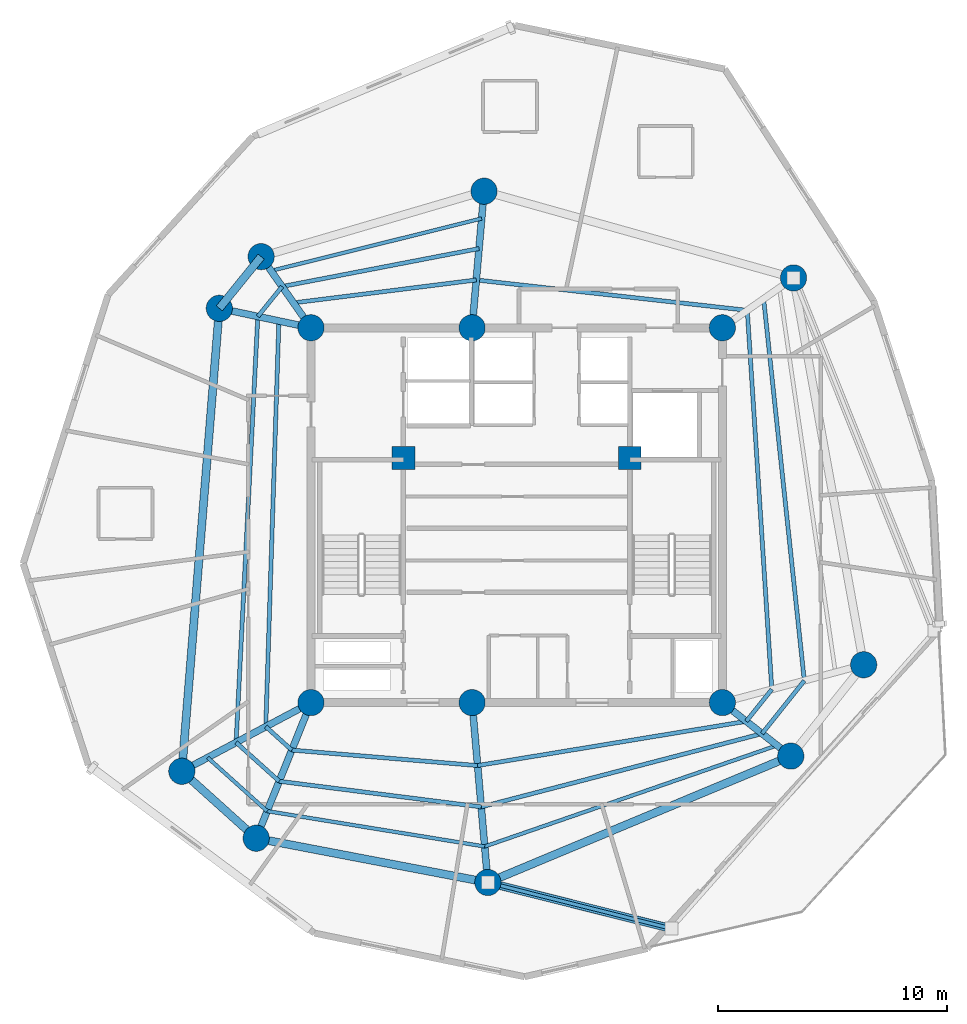
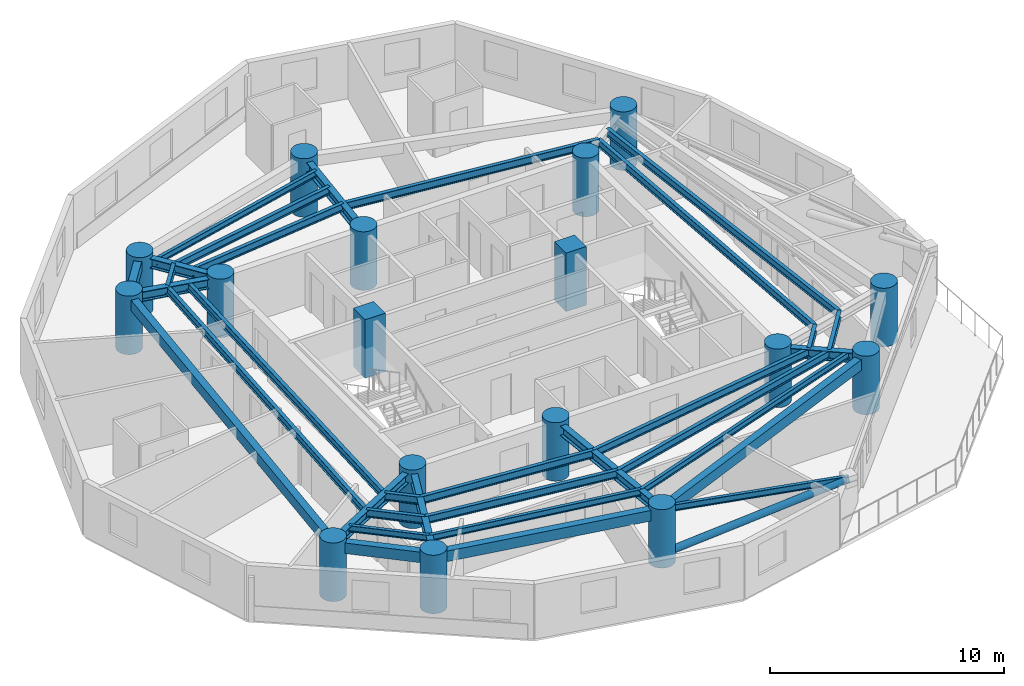
# One storey, part 1 of 9: 33 beams, 17 columns, 1 member.
"""IFC4 building model written with IfcOpenShell, lengths in metres."""

from ifc_helpers import new_model, si_unit, direction, frame, origin, origin_with_axes, origin_2d, place, context, subcontext, project, spatial, rectangle, circle, hollow_circle, i_section, extrude, source, transform, mapped, material, material_profile, profile_set, type_object, element, save


model = new_model("IFC4")

# Units and contexts
model_context = context("Model", 3, precision=1e-05, world=origin(), true_north=direction((0.0, 1.0)))
body_context = subcontext(model_context, "Body", "Model", "MODEL_VIEW")
ifc_project = project(units=[si_unit("LENGTHUNIT", "METRE"), si_unit("AREAUNIT", "SQUARE_METRE"), si_unit("VOLUMEUNIT", "CUBIC_METRE"), si_unit("PLANEANGLEUNIT", "RADIAN"), si_unit("MASSUNIT", "GRAM", prefix="KILO")], contexts=[model_context])

# Site, building, storey
site_placement = place(None, origin())
site = spatial("IfcSite", under=ifc_project, at=site_placement, CompositionType="ELEMENT")
building_placement = place(site_placement, origin())
building = spatial("IfcBuilding", under=site, at=building_placement, Name="Karkom Vertical University and Central Library", CompositionType="ELEMENT")
storey_placement = place(building_placement, frame((0.0, 0.0, 232.14990234375)))
storey = spatial("IfcBuildingStorey", under=building, at=storey_placement, Name="L68", CompositionType="ELEMENT", Elevation=232.14990234375)

# Columns
ifc_material_1 = material(Name="Concrete C50/60", Category="concrete")
ifc_material_profile_1 = material_profile(ifc_material_1, rectangle(XDim=1.0, YDim=1.0, at=origin_2d()), Name="RC-1000x1000")
ifc_profile_set_1 = profile_set([ifc_material_profile_1], Name="Concrete C50/60")
column_type_1 = type_object("IfcColumnType", Name="STR-COL-C-CC2", PredefinedType="COLUMN", material=ifc_profile_set_1)
shared_shape_1 = source(origin_with_axes(), body_context, "Body", "SweptSolid", [
    extrude(rectangle(XDim=1.0, YDim=1.0, at=origin_2d()), origin(), (0.0, 0.0, 1.0), 3.050048828125),
])
for number, where, z_axis, x_axis, name in (
    (1, (23.550048828125, 29.0, 0.0), (0.0, 0.0, 1.0), (1.0, 0.0, 0.0), "Level 68 Core Node Column CC-1"),
    (2, (33.449951171875, 29.0, 0.0), (0.0, 0.0, 1.0), (1.0, 0.0, 0.0), "Level 68 Core Node Column CC-2"),
):
    element("IfcColumn", number, at=place(storey_placement, frame(where, z_axis=z_axis, x_axis=x_axis)), inside=storey, type_object=column_type_1, Name=name, PredefinedType="COLUMN", context=body_context, shape_type="MappedRepresentation", body=[
        mapped(shared_shape_1, transform((0.0, 0.0, 0.0), scale=1.0)),
    ])
ifc_material_2 = material(Name="Concrete C45/55", Category="concrete")
ifc_material_profile_2 = material_profile(ifc_material_2, circle(Radius=0.574951171875, at=origin_2d()), Name="CFT-D1150")
ifc_profile_set_2 = profile_set([ifc_material_profile_2], Name="Concrete C45/55")
column_type_2 = type_object("IfcColumnType", Name="STR-COL-C-SC5", PredefinedType="COLUMN", material=ifc_profile_set_2)
shared_shape_2 = source(origin_with_axes(), body_context, "Body", "SweptSolid", [
    extrude(circle(Radius=0.574951171875, at=origin_2d()), origin(), (0.0, 0.0, 1.0), 3.050048828125),
])
for number, where, z_axis, x_axis, name in (
    (3, (19.5, 18.300048828125, 0.0), (0.0, 0.0, 1.0), (1.0, 0.0, 0.0), "Level 68 Spine Mega-Column SC-1"),
    (4, (26.550048828125, 18.300048828125, 0.0), (0.0, 0.0, 1.0), (1.0, 0.0, 0.0), "Level 68 Spine Mega-Column SC-2"),
    (5, (37.5, 18.300048828125, 0.0), (0.0, 0.0, 1.0), (1.0, 0.0, 0.0), "Level 68 Spine Mega-Column SC-3"),
    (6, (19.5, 34.699951171875, 0.0), (0.0, 0.0, 1.0), (1.0, 0.0, 0.0), "Level 68 Spine Mega-Column SC-4"),
    (7, (26.550048828125, 34.699951171875, 0.0), (0.0, 0.0, 1.0), (1.0, 0.0, 0.0), "Level 68 Spine Mega-Column SC-5"),
    (8, (37.5, 34.699951171875, 0.0), (0.0, 0.0, 1.0), (1.0, 0.0, 0.0), "Level 68 Spine Mega-Column SC-6"),
    (9, (43.681884765625, 19.9560546875, 0.0), (0.0, 0.0, 1.0), (1.0, 0.0, 0.0), "Level 68 Perimeter Mega-Column Z4-PC1"),
    (10, (40.613037109375, 36.8798828125, 0.0), (0.0, 0.0, 1.0), (1.0, 0.0, 0.0), "Level 68 Perimeter Mega-Column Z4-PC2"),
    (11, (27.072998046875, 40.677001953125, 0.0), (0.0, 0.0, 1.0), (1.0, 0.0, 0.0), "Level 68 Perimeter Mega-Column Z4-PC3"),
    (12, (17.320068359375, 37.81298828125, 0.0), (0.0, 0.0, 1.0), (1.0, 0.0, 0.0), "Level 68 Perimeter Mega-Column Z4-PC4"),
    (13, (15.489990234375, 35.552001953125, 0.0), (0.0, 0.0, 1.0), (1.0, 0.0, 0.0), "Level 68 Perimeter Mega-Column Z4-PC5"),
    (14, (13.84912109375, 15.294921875, 0.0), (0.0, 0.0, 1.0), (1.0, 0.0, 0.0), "Level 68 Perimeter Mega-Column Z4-PC6"),
    (15, (17.10302734375, 12.365966796875, 0.0), (0.0, 0.0, 1.0), (1.0, 0.0, 0.0), "Level 68 Perimeter Mega-Column Z4-PC7"),
    (16, (27.239013671875, 10.429931640625, 0.0), (0.0, 0.0, 1.0), (1.0, 0.0, 0.0), "Level 68 Perimeter Mega-Column Z4-PC8"),
    (17, (40.493896484375, 15.9599609375, 0.0), (0.0, 0.0, 1.0), (1.0, 0.0, 0.0), "Level 68 Perimeter Mega-Column Z4-PC9"),
):
    element("IfcColumn", number, at=place(storey_placement, frame(where, z_axis=z_axis, x_axis=x_axis)), inside=storey, type_object=column_type_2, Name=name, PredefinedType="COLUMN", context=body_context, shape_type="MappedRepresentation", body=[
        mapped(shared_shape_2, transform((0.0, 0.0, 0.0), scale=1.0)),
    ])

# Beams
ifc_material_3 = material(Name="Precast concrete C45/55", Category="concrete")
ifc_material_profile_3 = material_profile(ifc_material_3, rectangle(XDim=0.35009765625, YDim=0.550048828125, at=origin_2d()), Name="SPB-350x550")
ifc_profile_set_3 = profile_set([ifc_material_profile_3], Name="Precast concrete C45/55")
beam_type_1 = type_object("IfcBeamType", Name="STR-BM-SP-2", PredefinedType="SPANDREL", material=ifc_profile_set_3)
shared_shape_3 = source(origin_with_axes(), body_context, "Body", "SweptSolid", [
    extrude(rectangle(XDim=0.35009765625, YDim=0.550048828125, at=origin_2d()), origin(), (0.0, 0.0, 1.0), 2.908935546875),
])
beam_1_placement = place(storey_placement, frame((17.320068359375, 37.81298828125, 2.5751953125), z_axis=(-0.629147523747, -0.777285914811, 0.0), x_axis=(0.777285914811, -0.629147523747, 0.0)))
element("IfcBeam", 18, at=beam_1_placement, inside=storey, type_object=beam_type_1, Name="Level 68 Perimeter Spandrel Beam 04", PredefinedType="SPANDREL", context=body_context, shape_type="MappedRepresentation", body=[
    mapped(shared_shape_3, transform((0.0, 0.0, 0.0), scale=1.0)),
])
shared_shape_4 = source(origin_with_axes(), body_context, "Body", "SweptSolid", [
    extrude(rectangle(XDim=0.35009765625, YDim=0.550048828125, at=origin_2d()), origin(), (0.0, 0.0, 1.0), 20.323486328125),
])
beam_2_placement = place(storey_placement, frame((15.489990234375, 35.552001953125, 2.5751953125), z_axis=(-0.080737811681, -0.996735373991, 0.0), x_axis=(0.996735373991, -0.080737811681, 0.0)))
element("IfcBeam", 19, at=beam_2_placement, inside=storey, type_object=beam_type_1, Name="Level 68 Perimeter Spandrel Beam 05", PredefinedType="SPANDREL", context=body_context, shape_type="MappedRepresentation", body=[
    mapped(shared_shape_4, transform((0.0, 0.0, 0.0), scale=1.0)),
])
shared_shape_5 = source(origin_with_axes(), body_context, "Body", "SweptSolid", [
    extrude(rectangle(XDim=0.35009765625, YDim=0.550048828125, at=origin_2d()), origin(), (0.0, 0.0, 1.0), 4.3779296875),
])
beam_3_placement = place(storey_placement, frame((13.84912109375, 15.294921875, 2.5751953125), z_axis=(0.743244232405, -0.669020187287, 0.0), x_axis=(0.669020187287, 0.743244232405, 0.0)))
element("IfcBeam", 20, at=beam_3_placement, inside=storey, type_object=beam_type_1, Name="Level 68 Perimeter Spandrel Beam 06", PredefinedType="SPANDREL", context=body_context, shape_type="MappedRepresentation", body=[
    mapped(shared_shape_5, transform((0.0, 0.0, 0.0), scale=1.0)),
])
shared_shape_6 = source(origin_with_axes(), body_context, "Body", "SweptSolid", [
    extrude(rectangle(XDim=0.35009765625, YDim=0.550048828125, at=origin_2d()), origin(), (0.0, 0.0, 1.0), 10.3193359375),
])
beam_4_placement = place(storey_placement, frame((17.10302734375, 12.365966796875, 2.5751953125), z_axis=(0.982242767385, -0.187614354249, 0.0), x_axis=(0.187614354249, 0.982242767385, 0.0)))
element("IfcBeam", 21, at=beam_4_placement, inside=storey, type_object=beam_type_1, Name="Level 68 Perimeter Spandrel Beam 07", PredefinedType="SPANDREL", context=body_context, shape_type="MappedRepresentation", body=[
    mapped(shared_shape_6, transform((0.0, 0.0, 0.0), scale=1.0)),
])
shared_shape_7 = source(origin_with_axes(), body_context, "Body", "SweptSolid", [
    extrude(rectangle(XDim=0.35009765625, YDim=0.550048828125, at=origin_2d()), origin(), (0.0, 0.0, 1.0), 14.3623046875),
])
beam_5_placement = place(storey_placement, frame((27.239013671875, 10.429931640625, 2.5751953125), z_axis=(0.922899796194, 0.385040213725, 0.0), x_axis=(-0.385040213725, 0.922899796194, 0.0)))
element("IfcBeam", 22, at=beam_5_placement, inside=storey, type_object=beam_type_1, Name="Level 68 Perimeter Spandrel Beam 08", PredefinedType="SPANDREL", context=body_context, shape_type="MappedRepresentation", body=[
    mapped(shared_shape_7, transform((0.0, 0.0, 0.0), scale=1.0)),
])
ifc_material_4 = material(Name="Steel S355", Category="steel")
ifc_material_profile_4 = material_profile(ifc_material_4, i_section(OverallWidth=0.179931640625, OverallDepth=0.39990234375, WebThickness=0.008544921875, FlangeThickness=0.013427734375, FilletRadius=0.02099609375, at=origin_2d()), Name="IPE 400")
ifc_profile_set_4 = profile_set([ifc_material_profile_4], Name="Steel S355")
beam_type_2 = type_object("IfcBeamType", Name="STR-BM-SB-IPE400", PredefinedType="BEAM", material=ifc_profile_set_4)
shared_shape_8 = source(origin_with_axes(), body_context, "Body", "SweptSolid", [
    extrude(i_section(OverallWidth=0.179931640625, OverallDepth=0.39990234375, WebThickness=0.008544921875, FlangeThickness=0.013427734375, FilletRadius=0.02099609375, at=origin_2d()), origin(), (0.0, 0.0, 1.0), 16.617919921875),
])
beam_6_placement = place(storey_placement, frame((39.663818359375, 18.879638671875, 2.650146484375), z_axis=(-0.064641848008, 0.997908528617, 0.0), x_axis=(-0.997908528617, -0.064641848008, 0.0)))
element("IfcBeam", 23, at=beam_6_placement, inside=storey, type_object=beam_type_2, Name="Level 68 Secondary Composite Floor Beam 1.01", PredefinedType="BEAM", context=body_context, shape_type="MappedRepresentation", body=[
    mapped(shared_shape_8, transform((0.0, 0.0, 0.0), scale=1.0)),
])
shared_shape_9 = source(origin_with_axes(), body_context, "Body", "SweptSolid", [
    extrude(i_section(OverallWidth=0.179931640625, OverallDepth=0.39990234375, WebThickness=0.008544921875, FlangeThickness=0.013427734375, FilletRadius=0.02099609375, at=origin_2d()), origin(), (0.0, 0.0, 1.0), 11.9306640625),
])
beam_7_placement = place(storey_placement, frame((38.589599609375, 35.462890625, 2.650146484375), z_axis=(-0.993775454886, 0.11140172919, 0.0), x_axis=(-0.11140172919, -0.993775454886, 0.0)))
element("IfcBeam", 24, at=beam_7_placement, inside=storey, type_object=beam_type_2, Name="Level 68 Secondary Composite Floor Beam 1.02", PredefinedType="BEAM", context=body_context, shape_type="MappedRepresentation", body=[
    mapped(shared_shape_9, transform((0.0, 0.0, 0.0), scale=1.0)),
])
shared_shape_10 = source(origin_with_axes(), body_context, "Body", "SweptSolid", [
    extrude(i_section(OverallWidth=0.179931640625, OverallDepth=0.39990234375, WebThickness=0.008544921875, FlangeThickness=0.013427734375, FilletRadius=0.02099609375, at=origin_2d()), origin(), (0.0, 0.0, 1.0), 8.05859375),
])
beam_8_placement = place(storey_placement, frame((26.733154296875, 36.7919921875, 2.650146484375), z_axis=(-0.99223306826, -0.124392677646, 0.0), x_axis=(0.124392677646, -0.99223306826, 0.0)))
element("IfcBeam", 25, at=beam_8_placement, inside=storey, type_object=beam_type_2, Name="Level 68 Secondary Composite Floor Beam 1.03", PredefinedType="BEAM", context=body_context, shape_type="MappedRepresentation", body=[
    mapped(shared_shape_10, transform((0.0, 0.0, 0.0), scale=1.0)),
])
shared_shape_11 = source(origin_with_axes(), body_context, "Body", "SweptSolid", [
    extrude(i_section(OverallWidth=0.179931640625, OverallDepth=0.39990234375, WebThickness=0.008544921875, FlangeThickness=0.013427734375, FilletRadius=0.02099609375, at=origin_2d()), origin(), (0.0, 0.0, 1.0), 17.75927734375),
])
beam_9_placement = place(storey_placement, frame((18.096435546875, 34.998291015625, 2.650146484375), z_axis=(-0.032333437334, -0.999477137723, 0.0), x_axis=(0.999477137723, -0.032333437334, 0.0)))
element("IfcBeam", 26, at=beam_9_placement, inside=storey, type_object=beam_type_2, Name="Level 68 Secondary Composite Floor Beam 1.05", PredefinedType="BEAM", context=body_context, shape_type="MappedRepresentation", body=[
    mapped(shared_shape_11, transform((0.0, 0.0, 0.0), scale=1.0)),
])
shared_shape_12 = source(origin_with_axes(), body_context, "Body", "SweptSolid", [
    extrude(i_section(OverallWidth=0.179931640625, OverallDepth=0.39990234375, WebThickness=0.008544921875, FlangeThickness=0.013427734375, FilletRadius=0.02099609375, at=origin_2d()), origin(), (0.0, 0.0, 1.0), 1.5322265625),
])
beam_10_placement = place(storey_placement, frame((17.522216796875, 17.248291015625, 2.650146484375), z_axis=(0.743183211059, -0.669087972392, 0.0), x_axis=(0.669087972392, 0.743183211059, 0.0)))
element("IfcBeam", 27, at=beam_10_placement, inside=storey, type_object=beam_type_2, Name="Level 68 Secondary Composite Floor Beam 1.06", PredefinedType="BEAM", context=body_context, shape_type="MappedRepresentation", body=[
    mapped(shared_shape_12, transform((0.0, 0.0, 0.0), scale=1.0)),
])
shared_shape_13 = source(origin_with_axes(), body_context, "Body", "SweptSolid", [
    extrude(i_section(OverallWidth=0.179931640625, OverallDepth=0.39990234375, WebThickness=0.008544921875, FlangeThickness=0.013427734375, FilletRadius=0.02099609375, at=origin_2d()), origin(), (0.0, 0.0, 1.0), 8.15869140625),
])
beam_11_placement = place(storey_placement, frame((18.660888671875, 16.22314453125, 2.650146484375), z_axis=(0.996543694183, -0.083070244882, 0.0), x_axis=(0.083070244882, 0.996543694183, 0.0)))
element("IfcBeam", 28, at=beam_11_placement, inside=storey, type_object=beam_type_2, Name="Level 68 Secondary Composite Floor Beam 1.07", PredefinedType="BEAM", context=body_context, shape_type="MappedRepresentation", body=[
    mapped(shared_shape_13, transform((0.0, 0.0, 0.0), scale=1.0)),
])
shared_shape_14 = source(origin_with_axes(), body_context, "Body", "SweptSolid", [
    extrude(i_section(OverallWidth=0.179931640625, OverallDepth=0.39990234375, WebThickness=0.008544921875, FlangeThickness=0.013427734375, FilletRadius=0.02099609375, at=origin_2d()), origin(), (0.0, 0.0, 1.0), 11.914794921875),
])
beam_12_placement = place(storey_placement, frame((26.791259765625, 15.54541015625, 2.650146484375), z_axis=(0.986717073469, 0.162448197663, 0.0), x_axis=(-0.162448197663, 0.986717073469, 0.0)))
element("IfcBeam", 29, at=beam_12_placement, inside=storey, type_object=beam_type_2, Name="Level 68 Secondary Composite Floor Beam 1.08", PredefinedType="BEAM", context=body_context, shape_type="MappedRepresentation", body=[
    mapped(shared_shape_14, transform((0.0, 0.0, 0.0), scale=1.0)),
])
shared_shape_15 = source(origin_with_axes(), body_context, "Body", "SweptSolid", [
    extrude(i_section(OverallWidth=0.179931640625, OverallDepth=0.39990234375, WebThickness=0.008544921875, FlangeThickness=0.013427734375, FilletRadius=0.02099609375, at=origin_2d()), origin(), (0.0, 0.0, 1.0), 1.789306640625),
])
beam_13_placement = place(storey_placement, frame((38.5478515625, 17.48095703125, 2.650146484375), z_axis=(0.623679519349, 0.781680150154, 0.0), x_axis=(-0.781680150154, 0.623679519349, 0.0)))
element("IfcBeam", 30, at=beam_13_placement, inside=storey, type_object=beam_type_2, Name="Level 68 Secondary Composite Floor Beam 1.09", PredefinedType="BEAM", context=body_context, shape_type="MappedRepresentation", body=[
    mapped(shared_shape_15, transform((0.0, 0.0, 0.0), scale=1.0)),
])
shared_shape_16 = source(origin_with_axes(), body_context, "Body", "SweptSolid", [
    extrude(i_section(OverallWidth=0.179931640625, OverallDepth=0.39990234375, WebThickness=0.008544921875, FlangeThickness=0.013427734375, FilletRadius=0.02099609375, at=origin_2d()), origin(), (0.0, 0.0, 1.0), 16.79833984375),
])
beam_14_placement = place(storey_placement, frame((41.085693359375, 19.260498046875, 2.650146484375), z_axis=(-0.105978377704, 0.994368434464, 0.0), x_axis=(-0.994368434464, -0.105978377704, 0.0)))
element("IfcBeam", 31, at=beam_14_placement, inside=storey, type_object=beam_type_2, Name="Level 68 Secondary Composite Floor Beam 2.01", PredefinedType="BEAM", context=body_context, shape_type="MappedRepresentation", body=[
    mapped(shared_shape_16, transform((0.0, 0.0, 0.0), scale=1.0)),
])
shared_shape_17 = source(origin_with_axes(), body_context, "Body", "SweptSolid", [
    extrude(i_section(OverallWidth=0.179931640625, OverallDepth=0.39990234375, WebThickness=0.008544921875, FlangeThickness=0.013427734375, FilletRadius=0.02099609375, at=origin_2d()), origin(), (0.0, 0.0, 1.0), 8.7763671875),
])
beam_15_placement = place(storey_placement, frame((26.853271484375, 38.166748046875, 2.650146484375), z_axis=(-0.981924209256, -0.189274528862, 0.0), x_axis=(0.189274528862, -0.981924209256, 0.0)))
element("IfcBeam", 32, at=beam_15_placement, inside=storey, type_object=beam_type_2, Name="Level 68 Secondary Composite Floor Beam 2.03", PredefinedType="BEAM", context=body_context, shape_type="MappedRepresentation", body=[
    mapped(shared_shape_17, transform((0.0, 0.0, 0.0), scale=1.0)),
])
shared_shape_18 = source(origin_with_axes(), body_context, "Body", "SweptSolid", [
    extrude(i_section(OverallWidth=0.179931640625, OverallDepth=0.39990234375, WebThickness=0.008544921875, FlangeThickness=0.013427734375, FilletRadius=0.02099609375, at=origin_2d()), origin(), (0.0, 0.0, 1.0), 1.68701171875),
])
beam_16_placement = place(storey_placement, frame((18.235595703125, 36.505615234375, 2.650146484375), z_axis=(-0.629044191861, -0.777369541908, 0.0), x_axis=(0.777369541908, -0.629044191861, 0.0)))
element("IfcBeam", 33, at=beam_16_placement, inside=storey, type_object=beam_type_2, Name="Level 68 Secondary Composite Floor Beam 2.04", PredefinedType="BEAM", context=body_context, shape_type="MappedRepresentation", body=[
    mapped(shared_shape_18, transform((0.0, 0.0, 0.0), scale=1.0)),
])
shared_shape_19 = source(origin_with_axes(), body_context, "Body", "SweptSolid", [
    extrude(i_section(OverallWidth=0.179931640625, OverallDepth=0.39990234375, WebThickness=0.008544921875, FlangeThickness=0.013427734375, FilletRadius=0.02099609375, at=origin_2d()), origin(), (0.0, 0.0, 1.0), 18.661376953125),
])
beam_17_placement = place(storey_placement, frame((17.17431640625, 35.194091796875, 2.650146484375), z_axis=(-0.051009656211, -0.998698160093, 0.0), x_axis=(0.998698160093, -0.051009656211, 0.0)))
element("IfcBeam", 34, at=beam_17_placement, inside=storey, type_object=beam_type_2, Name="Level 68 Secondary Composite Floor Beam 2.05", PredefinedType="BEAM", context=body_context, shape_type="MappedRepresentation", body=[
    mapped(shared_shape_19, transform((0.0, 0.0, 0.0), scale=1.0)),
])
shared_shape_20 = source(origin_with_axes(), body_context, "Body", "SweptSolid", [
    extrude(i_section(OverallWidth=0.179931640625, OverallDepth=0.39990234375, WebThickness=0.008544921875, FlangeThickness=0.013427734375, FilletRadius=0.02099609375, at=origin_2d()), origin(), (0.0, 0.0, 1.0), 2.5390625),
])
beam_18_placement = place(storey_placement, frame((16.222412109375, 16.55712890625, 2.650146484375), z_axis=(0.743246334517, -0.669017851949, 0.0), x_axis=(0.669017851949, 0.743246334517, 0.0)))
element("IfcBeam", 35, at=beam_18_placement, inside=storey, type_object=beam_type_2, Name="Level 68 Secondary Composite Floor Beam 2.06", PredefinedType="BEAM", context=body_context, shape_type="MappedRepresentation", body=[
    mapped(shared_shape_20, transform((0.0, 0.0, 0.0), scale=1.0)),
])
shared_shape_21 = source(origin_with_axes(), body_context, "Body", "SweptSolid", [
    extrude(i_section(OverallWidth=0.179931640625, OverallDepth=0.39990234375, WebThickness=0.008544921875, FlangeThickness=0.013427734375, FilletRadius=0.02099609375, at=origin_2d()), origin(), (0.0, 0.0, 1.0), 8.9111328125),
])
beam_19_placement = place(storey_placement, frame((18.109619140625, 14.8583984375, 2.650146484375), z_axis=(0.992026771403, -0.126027317751, 0.0), x_axis=(0.126027317751, 0.992026771403, 0.0)))
element("IfcBeam", 36, at=beam_19_placement, inside=storey, type_object=beam_type_2, Name="Level 68 Secondary Composite Floor Beam 2.07", PredefinedType="BEAM", context=body_context, shape_type="MappedRepresentation", body=[
    mapped(shared_shape_21, transform((0.0, 0.0, 0.0), scale=1.0)),
])
shared_shape_22 = source(origin_with_axes(), body_context, "Body", "SweptSolid", [
    extrude(i_section(OverallWidth=0.179931640625, OverallDepth=0.39990234375, WebThickness=0.008544921875, FlangeThickness=0.013427734375, FilletRadius=0.02099609375, at=origin_2d()), origin(), (0.0, 0.0, 1.0), 12.69873046875),
])
beam_20_placement = place(storey_placement, frame((26.94970703125, 13.7353515625, 2.650146484375), z_axis=(0.967573974729, 0.252587813301, 0.0), x_axis=(-0.252587813301, 0.967573974729, 0.0)))
element("IfcBeam", 37, at=beam_20_placement, inside=storey, type_object=beam_type_2, Name="Level 68 Secondary Composite Floor Beam 2.08", PredefinedType="BEAM", context=body_context, shape_type="MappedRepresentation", body=[
    mapped(shared_shape_22, transform((0.0, 0.0, 0.0), scale=1.0)),
])
shared_shape_23 = source(origin_with_axes(), body_context, "Body", "SweptSolid", [
    extrude(i_section(OverallWidth=0.179931640625, OverallDepth=0.39990234375, WebThickness=0.008544921875, FlangeThickness=0.013427734375, FilletRadius=0.02099609375, at=origin_2d()), origin(), (0.0, 0.0, 1.0), 2.96484375),
])
beam_21_placement = place(storey_placement, frame((39.236572265625, 16.94287109375, 2.650146484375), z_axis=(0.623670236397, 0.781687556657, 0.0), x_axis=(-0.781687556657, 0.623670236397, 0.0)))
element("IfcBeam", 38, at=beam_21_placement, inside=storey, type_object=beam_type_2, Name="Level 68 Secondary Composite Floor Beam 2.09", PredefinedType="BEAM", context=body_context, shape_type="MappedRepresentation", body=[
    mapped(shared_shape_23, transform((0.0, 0.0, 0.0), scale=1.0)),
])
ifc_material_profile_5 = material_profile(ifc_material_4, i_section(OverallWidth=0.159912109375, OverallDepth=0.330078125, WebThickness=0.007568359375, FlangeThickness=0.011474609375, FilletRadius=0.01806640625, at=origin_2d()), Name="IPE 330")
ifc_profile_set_5 = profile_set([ifc_material_profile_5], Name="Steel S355")
beam_type_3 = type_object("IfcBeamType", Name="STR-BM-SB-IPE330", PredefinedType="BEAM", material=ifc_profile_set_5)
shared_shape_24 = source(origin_with_axes(), body_context, "Body", "SweptSolid", [
    extrude(i_section(OverallWidth=0.159912109375, OverallDepth=0.330078125, WebThickness=0.007568359375, FlangeThickness=0.011474609375, FilletRadius=0.01806640625, at=origin_2d()), origin(), (0.0, 0.0, 1.0), 9.4931640625),
])
beam_22_placement = place(storey_placement, frame((26.968505859375, 39.481689453125, 2.68505859375), z_axis=(-0.970435275293, -0.241361505767, 0.0), x_axis=(0.241361505767, -0.970435275293, 0.0)))
element("IfcBeam", 39, at=beam_22_placement, inside=storey, type_object=beam_type_3, Name="Level 68 Secondary Composite Floor Beam 3.03", PredefinedType="BEAM", context=body_context, shape_type="MappedRepresentation", body=[
    mapped(shared_shape_24, transform((0.0, 0.0, 0.0), scale=1.0)),
])
shared_shape_25 = source(origin_with_axes(), body_context, "Body", "SweptSolid", [
    extrude(i_section(OverallWidth=0.159912109375, OverallDepth=0.330078125, WebThickness=0.007568359375, FlangeThickness=0.011474609375, FilletRadius=0.01806640625, at=origin_2d()), origin(), (0.0, 0.0, 1.0), 3.50244140625),
])
beam_23_placement = place(storey_placement, frame((14.979248046875, 15.89599609375, 2.68505859375), z_axis=(0.743249087562, -0.669014793437, 0.0), x_axis=(0.669014793437, 0.743249087562, 0.0)))
element("IfcBeam", 40, at=beam_23_placement, inside=storey, type_object=beam_type_3, Name="Level 68 Secondary Composite Floor Beam 3.06", PredefinedType="BEAM", context=body_context, shape_type="MappedRepresentation", body=[
    mapped(shared_shape_25, transform((0.0, 0.0, 0.0), scale=1.0)),
])
shared_shape_26 = source(origin_with_axes(), body_context, "Body", "SweptSolid", [
    extrude(i_section(OverallWidth=0.159912109375, OverallDepth=0.330078125, WebThickness=0.007568359375, FlangeThickness=0.011474609375, FilletRadius=0.01806640625, at=origin_2d()), origin(), (0.0, 0.0, 1.0), 9.64404296875),
])
beam_24_placement = place(storey_placement, frame((17.58251953125, 13.552734375, 2.68505859375), z_axis=(0.987019497924, -0.160600469231, 0.0), x_axis=(0.160600469231, 0.987019497924, 0.0)))
element("IfcBeam", 41, at=beam_24_placement, inside=storey, type_object=beam_type_3, Name="Level 68 Secondary Composite Floor Beam 3.07", PredefinedType="BEAM", context=body_context, shape_type="MappedRepresentation", body=[
    mapped(shared_shape_26, transform((0.0, 0.0, 0.0), scale=1.0)),
])
shared_shape_27 = source(origin_with_axes(), body_context, "Body", "SweptSolid", [
    extrude(i_section(OverallWidth=0.159912109375, OverallDepth=0.330078125, WebThickness=0.007568359375, FlangeThickness=0.011474609375, FilletRadius=0.01806640625, at=origin_2d()), origin(), (0.0, 0.0, 1.0), 13.537353515625),
])
beam_25_placement = place(storey_placement, frame((27.101318359375, 12.00390625, 2.68505859375), z_axis=(0.945091088216, 0.32680703018, 0.0), x_axis=(-0.32680703018, 0.945091088216, 0.0)))
element("IfcBeam", 42, at=beam_25_placement, inside=storey, type_object=beam_type_3, Name="Level 68 Secondary Composite Floor Beam 3.08", PredefinedType="BEAM", context=body_context, shape_type="MappedRepresentation", body=[
    mapped(shared_shape_27, transform((0.0, 0.0, 0.0), scale=1.0)),
])
ifc_material_profile_6 = material_profile(ifc_material_4, i_section(OverallWidth=0.300048828125, OverallDepth=0.5, WebThickness=0.014404296875, FlangeThickness=0.028076171875, FilletRadius=0.027099609375, at=origin_2d()), Name="HE 500 B")
ifc_profile_set_6 = profile_set([ifc_material_profile_6], Name="Steel S355")
beam_type_4 = type_object("IfcBeamType", Name="STR-BM-SB-HE500", PredefinedType="USERDEFINED", material=ifc_profile_set_6)
shared_shape_28 = source(origin_with_axes(), body_context, "Body", "SweptSolid", [
    extrude(i_section(OverallWidth=0.300048828125, OverallDepth=0.5, WebThickness=0.014404296875, FlangeThickness=0.028076171875, FilletRadius=0.027099609375, at=origin_2d()), origin(), (0.0, 0.0, 1.0), 6.39990234375),
])
beam_26_placement = place(storey_placement, frame((19.5, 18.300048828125, 2.60009765625), z_axis=(-0.374532429749, -0.927213815183, 0.0), x_axis=(0.927213815183, -0.374532429749, 0.0)))
element("IfcBeam", 43, at=beam_26_placement, inside=storey, type_object=beam_type_4, Name="Level 68 Radial Frame Girder 07", ObjectType="GIRDER", PredefinedType="USERDEFINED", context=body_context, shape_type="MappedRepresentation", body=[
    mapped(shared_shape_28, transform((0.0, 0.0, 0.0), scale=1.0)),
])
shared_shape_29 = source(origin_with_axes(), body_context, "Body", "SweptSolid", [
    extrude(i_section(OverallWidth=0.300048828125, OverallDepth=0.5, WebThickness=0.014404296875, FlangeThickness=0.028076171875, FilletRadius=0.027099609375, at=origin_2d()), origin(), (0.0, 0.0, 1.0), 3.80029296875),
])
beam_27_placement = place(storey_placement, frame((19.5, 34.699951171875, 2.60009765625), z_axis=(-0.573604613627, 0.819132313625, 0.0), x_axis=(-0.819132313625, -0.573604613627, 0.0)))
element("IfcBeam", 44, at=beam_27_placement, inside=storey, type_object=beam_type_4, Name="Level 68 Radial Frame Girder 04", ObjectType="GIRDER", PredefinedType="USERDEFINED", context=body_context, shape_type="MappedRepresentation", body=[
    mapped(shared_shape_29, transform((0.0, 0.0, 0.0), scale=1.0)),
])
shared_shape_30 = source(origin_with_axes(), body_context, "Body", "SweptSolid", [
    extrude(i_section(OverallWidth=0.300048828125, OverallDepth=0.5, WebThickness=0.014404296875, FlangeThickness=0.028076171875, FilletRadius=0.027099609375, at=origin_2d()), origin(), (0.0, 0.0, 1.0), 6.0),
])
beam_28_placement = place(storey_placement, frame((26.550048828125, 34.699951171875, 2.60009765625), z_axis=(0.087159883478, 0.996194335816, 0.0), x_axis=(-0.996194335816, 0.087159883478, 0.0)))
element("IfcBeam", 45, at=beam_28_placement, inside=storey, type_object=beam_type_4, Name="Level 68 Radial Frame Girder 03", ObjectType="GIRDER", PredefinedType="USERDEFINED", context=body_context, shape_type="MappedRepresentation", body=[
    mapped(shared_shape_30, transform((0.0, 0.0, 0.0), scale=1.0)),
])
shared_shape_31 = source(origin_with_axes(), body_context, "Body", "SweptSolid", [
    extrude(i_section(OverallWidth=0.300048828125, OverallDepth=0.5, WebThickness=0.014404296875, FlangeThickness=0.028076171875, FilletRadius=0.027099609375, at=origin_2d()), origin(), (0.0, 0.0, 1.0), 4.099609375),
])
beam_29_placement = place(storey_placement, frame((19.5, 34.699951171875, 2.60009765625), z_axis=(-0.978162634602, 0.207840949453, 0.0), x_axis=(-0.207840949453, -0.978162634602, 0.0)))
element("IfcBeam", 46, at=beam_29_placement, inside=storey, type_object=beam_type_4, Name="Level 68 Radial Frame Girder 05", ObjectType="GIRDER", PredefinedType="USERDEFINED", context=body_context, shape_type="MappedRepresentation", body=[
    mapped(shared_shape_31, transform((0.0, 0.0, 0.0), scale=1.0)),
])
shared_shape_32 = source(origin_with_axes(), body_context, "Body", "SweptSolid", [
    extrude(i_section(OverallWidth=0.300048828125, OverallDepth=0.5, WebThickness=0.014404296875, FlangeThickness=0.028076171875, FilletRadius=0.027099609375, at=origin_2d()), origin(), (0.0, 0.0, 1.0), 6.400146484375),
])
beam_30_placement = place(storey_placement, frame((19.5, 18.300048828125, 2.60009765625), z_axis=(-0.882915120857, -0.469532628645, 0.0), x_axis=(0.469532628645, -0.882915120857, 0.0)))
element("IfcBeam", 47, at=beam_30_placement, inside=storey, type_object=beam_type_4, Name="Level 68 Radial Frame Girder 06", ObjectType="GIRDER", PredefinedType="USERDEFINED", context=body_context, shape_type="MappedRepresentation", body=[
    mapped(shared_shape_32, transform((0.0, 0.0, 0.0), scale=1.0)),
])
shared_shape_33 = source(origin_with_axes(), body_context, "Body", "SweptSolid", [
    extrude(i_section(OverallWidth=0.300048828125, OverallDepth=0.5, WebThickness=0.014404296875, FlangeThickness=0.028076171875, FilletRadius=0.027099609375, at=origin_2d()), origin(), (0.0, 0.0, 1.0), 7.900146484375),
])
beam_31_placement = place(storey_placement, frame((26.550048828125, 18.300048828125, 2.60009765625), z_axis=(0.087208352312, -0.996190093951, 0.0), x_axis=(0.996190093951, 0.087208352312, 0.0)))
element("IfcBeam", 48, at=beam_31_placement, inside=storey, type_object=beam_type_4, Name="Level 68 Radial Frame Girder 08", ObjectType="GIRDER", PredefinedType="USERDEFINED", context=body_context, shape_type="MappedRepresentation", body=[
    mapped(shared_shape_33, transform((0.0, 0.0, 0.0), scale=1.0)),
])
shared_shape_34 = source(origin_with_axes(), body_context, "Body", "SweptSolid", [
    extrude(i_section(OverallWidth=0.300048828125, OverallDepth=0.5, WebThickness=0.014404296875, FlangeThickness=0.028076171875, FilletRadius=0.027099609375, at=origin_2d()), origin(), (0.0, 0.0, 1.0), 3.7998046875),
])
beam_32_placement = place(storey_placement, frame((37.5, 18.300048828125, 2.60009765625), z_axis=(0.787883114707, -0.61582481077, 0.0), x_axis=(0.61582481077, 0.787883114707, 0.0)))
element("IfcBeam", 49, at=beam_32_placement, inside=storey, type_object=beam_type_4, Name="Level 68 Radial Frame Girder 09", ObjectType="GIRDER", PredefinedType="USERDEFINED", context=body_context, shape_type="MappedRepresentation", body=[
    mapped(shared_shape_34, transform((0.0, 0.0, 0.0), scale=1.0)),
])
shared_shape_35 = source(origin_with_axes(), body_context, "Body", "SweptSolid", [
    extrude(i_section(OverallWidth=0.159912109375, OverallDepth=0.330078125, WebThickness=0.007568359375, FlangeThickness=0.011474609375, FilletRadius=0.01806640625, at=origin_2d()), origin(), (0.0, 0.0, 1.0), 8.287353515625),
])
beam_33_placement = place(storey_placement, frame((27.239013671875, 10.429931640625, 2.68505859375), z_axis=(0.969854157844, -0.243686094213, 0.0), x_axis=(0.243686094213, 0.969854157844, 0.0)))
element("IfcBeam", 50, at=beam_33_placement, inside=storey, type_object=beam_type_3, Name="Level 68 Sky Garden Outrigger Support Beam 1", PredefinedType="BEAM", context=body_context, shape_type="MappedRepresentation", body=[
    mapped(shared_shape_35, transform((0.0, 0.0, 0.0), scale=1.0)),
])

# Member
ifc_material_profile_7 = material_profile(ifc_material_4, hollow_circle(Radius=0.177734375, WallThickness=0.01611328125, at=origin_2d()), Name="CHS 355.6x16")
ifc_profile_set_7 = profile_set([ifc_material_profile_7], Name="Steel S355")
member_type = type_object("IfcMemberType", Name="STR-MEM-BR-3", PredefinedType="BRACE", material=ifc_profile_set_7)
shared_shape_36 = source(origin_with_axes(), body_context, "Body", "SweptSolid", [
    extrude(hollow_circle(Radius=0.177734375, WallThickness=0.01611328125, at=origin_2d()), origin(), (0.0, 0.0, 1.0), 8.610107421875),
])
member_placement = place(storey_placement, frame((27.239013671875, 10.429931640625, 0.35009765625), z_axis=(0.933509918585, -0.234554220477, 0.271189139826), x_axis=(0.243686094213, 0.969854157844, 0.0)))
element("IfcMember", 51, at=member_placement, inside=storey, type_object=member_type, Name="Level 68 Sky Garden Knee Strut Brace 1", PredefinedType="BRACE", context=body_context, shape_type="MappedRepresentation", body=[
    mapped(shared_shape_36, transform((0.0, 0.0, 0.0), scale=1.0)),
])

save(model, "model.ifc")
